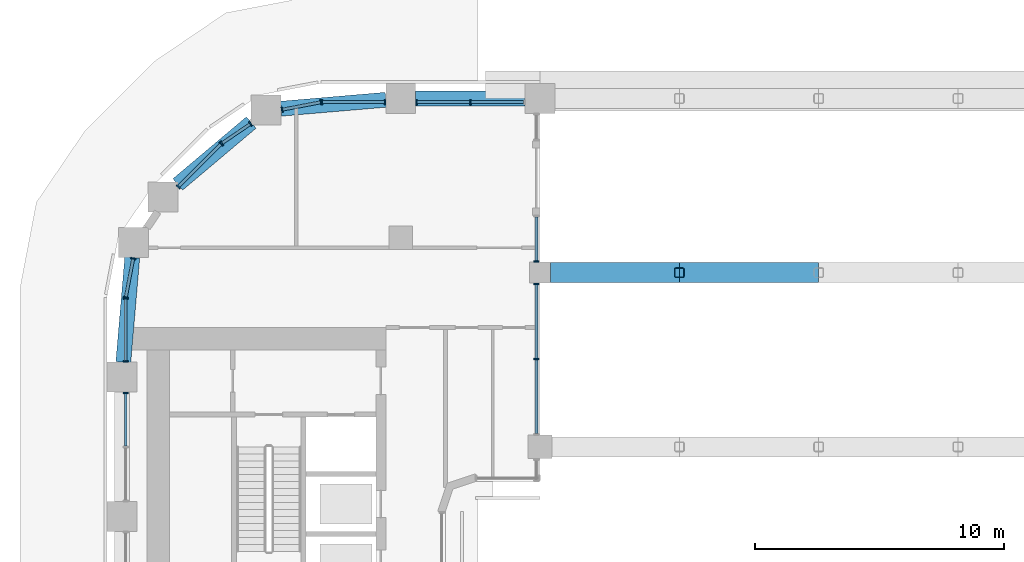
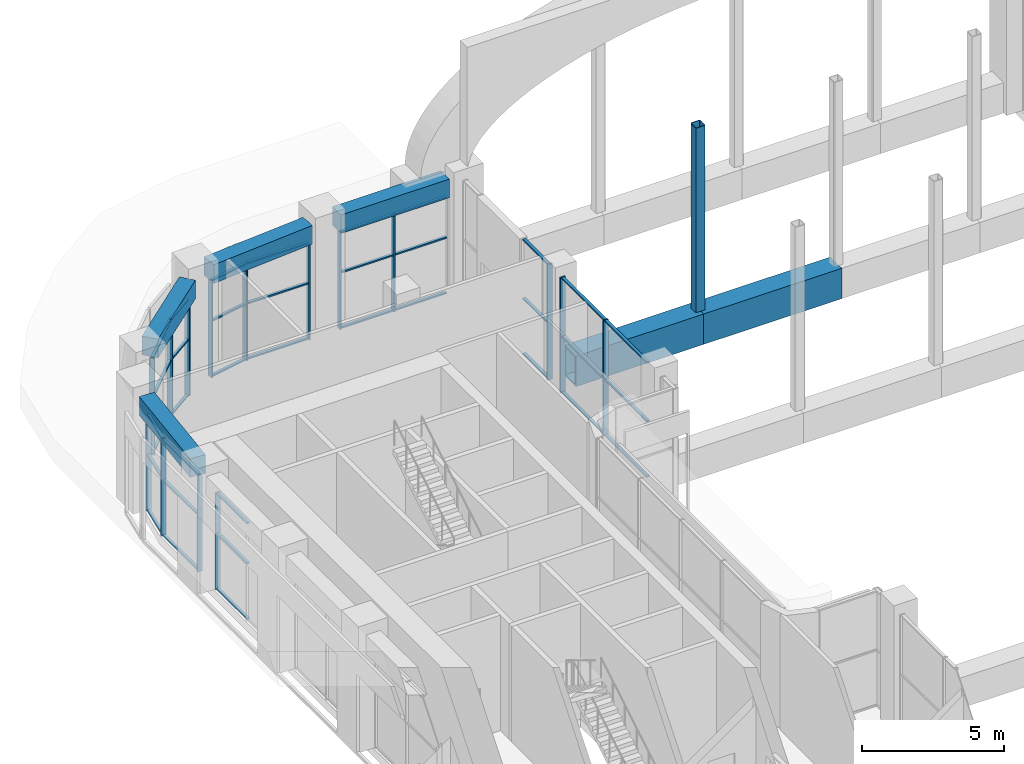
# One storey, part 8 of 28: 57 members, 4 beams, 10 elements without a shape of their own.
"""IFC4 building model written with IfcOpenShell, lengths in metres."""

import ifcopenshell
import ifcopenshell.guid

model = None  # the IFC model being written
_history = None  # IfcOwnerHistory: only IFC2X3 demands one
_inside = {}  # id of a spatial element -> (the spatial element, [elements in it])
_under = {}  # id of a project, library or spatial element -> (it, [spatial elements below it])
_declared = {}  # id of a project -> (the project, [libraries it declares])
_typed = {}  # id of a type object -> (the type object, [elements of that type])
_made_of = {}  # id of a material, layer set ... -> (it, [elements and type objects made of it])


def new_model(schema):
    """Start an empty IFC model of exactly this schema.

    Asked for "IFC4X3", IfcOpenShell would pick the latest addendum, in which some entities
    have other attributes; the version numbers below select the first issue.
    IFC2X3 requires an IfcOwnerHistory on every rooted entity: one is made here for all.
    """
    global model, _history
    if schema == "IFC4X3":
        model = ifcopenshell.file(schema_version=(4, 3, 0, 0))
    else:
        model = ifcopenshell.file(schema=schema)
    _inside.clear()
    _under.clear()
    _declared.clear()
    _typed.clear()
    _made_of.clear()
    _history = None
    if model.schema == "IFC2X3":
        org = make("IfcOrganization", Name="unknown")
        user = make(
            "IfcPersonAndOrganization",
            ThePerson=make("IfcPerson", FamilyName="unknown"),
            TheOrganization=org,
        )
        app = make(
            "IfcApplication",
            ApplicationDeveloper=org,
            Version="unknown",
            ApplicationFullName="unknown",
            ApplicationIdentifier="unknown",
        )
        _history = make(
            "IfcOwnerHistory",
            OwningUser=user,
            OwningApplication=app,
            ChangeAction="ADDED",
            CreationDate=0,
        )
    return model


def make(cls, **values):
    """One entity of the class cls with the attributes given. An attribute that is None is left unset."""
    return model.create_entity(
        cls, **{name: value for name, value in values.items() if value is not None}
    )


def rooted(cls, **values):
    """An entity with a GlobalId (a new one), such as an element, a storey or a relation."""
    return make(cls, GlobalId=ifcopenshell.guid.new(), OwnerHistory=_history, **values)


def si_unit(unit_type, name, prefix=None):
    """IfcSIUnit, for example si_unit("LENGTHUNIT", "METRE", prefix="MILLI")."""
    return make("IfcSIUnit", UnitType=unit_type, Prefix=prefix, Name=name)


def assignment(units):
    """IfcUnitAssignment: the units of a project."""
    return None if units is None else make("IfcUnitAssignment", Units=units)


def point(xyz):
    """IfcCartesianPoint."""
    return None if xyz is None else make("IfcCartesianPoint", Coordinates=xyz)


def direction(xyz):
    """IfcDirection."""
    return None if xyz is None else make("IfcDirection", DirectionRatios=xyz)


def frame(location, z_axis=None, x_axis=None):
    """IfcAxis2Placement3D, a coordinate frame: its origin and axes. An axis left out is left unset."""
    return make(
        "IfcAxis2Placement3D",
        Location=point(location),
        Axis=direction(z_axis),
        RefDirection=direction(x_axis),
    )


def frame_2d(location, x_axis=None):
    """IfcAxis2Placement2D, a coordinate frame in the plane: its origin and x axis."""
    return make(
        "IfcAxis2Placement2D", Location=point(location), RefDirection=direction(x_axis)
    )


def origin():
    """The frame at (0, 0, 0) with its axes left unset."""
    return frame((0.0, 0.0, 0.0))


def origin_2d():
    """The frame at (0, 0) in the plane with its x axis left unset."""
    return frame_2d((0.0, 0.0))


def place(relative_to, where):
    """IfcLocalPlacement: puts the frame where relative to a parent placement (None: the world)."""
    return make(
        "IfcLocalPlacement", PlacementRelTo=relative_to, RelativePlacement=where
    )


def context(
    kind, dimensions, precision=None, world=None, true_north=None, identifier=None
):
    """IfcGeometricRepresentationContext, for example the 3D "Model" context."""
    return make(
        "IfcGeometricRepresentationContext",
        ContextIdentifier=identifier,
        ContextType=kind,
        CoordinateSpaceDimension=dimensions,
        Precision=precision,
        WorldCoordinateSystem=world,
        TrueNorth=true_north,
    )


def subcontext(parent, identifier, kind, view, scale=None):
    """IfcGeometricRepresentationSubContext, for example "Body" below "Model"."""
    return make(
        "IfcGeometricRepresentationSubContext",
        ContextIdentifier=identifier,
        ContextType=kind,
        ParentContext=parent,
        TargetScale=scale,
        TargetView=view,
    )


def project(units=None, contexts=None):
    """IfcProject with its units and contexts."""
    return rooted(
        "IfcProject",
        Name="project",
        RepresentationContexts=contexts,
        UnitsInContext=assignment(units),
    )


def spatial(cls, under=None, at=None, **own):
    """A site, building, storey or space (cls), placed at a placement, below another one or the project."""
    s = rooted(cls, ObjectPlacement=at, **own)
    if under is not None:
        _under.setdefault(under.id(), (under, []))[1].append(s)
    return s


def profile(cls, at=None, kind="AREA", **sizes):
    """A parametric profile (cls). Its sizes go by their IFC names, for example OverallWidth=200.0."""
    return make(cls, ProfileType=kind, Position=at, **sizes)


def rectangle(**sizes):
    """IfcRectangleProfileDef."""
    return profile("IfcRectangleProfileDef", **sizes)


def hollow_rectangle(**sizes):
    """IfcRectangleHollowProfileDef."""
    return profile("IfcRectangleHollowProfileDef", **sizes)


def extrude(swept, where, along, depth):
    """IfcExtrudedAreaSolid: the profile swept, set in the frame where, extruded along a direction by depth."""
    return make(
        "IfcExtrudedAreaSolid",
        SweptArea=swept,
        Position=where,
        ExtrudedDirection=direction(along),
        Depth=depth,
    )


def shape(context_of_items, identifier, shape_type, items):
    """IfcShapeRepresentation: the items that make up one representation, for example the "Body"."""
    return make(
        "IfcShapeRepresentation",
        ContextOfItems=context_of_items,
        RepresentationIdentifier=identifier,
        RepresentationType=shape_type,
        Items=items,
    )


def material(Name=None, Category=None):
    """IfcMaterial."""
    return make("IfcMaterial", Name=Name, Category=Category)


def layer(
    of_material, thickness, ventilated=None, Name=None, Category=None, Priority=None
):
    """IfcMaterialLayer: one layer of a wall or slab, of a material (None: an air gap)."""
    return make(
        "IfcMaterialLayer",
        Material=of_material,
        LayerThickness=thickness,
        IsVentilated=ventilated,
        Name=Name,
        Category=Category,
        Priority=Priority,
    )


def layer_set(layers, Name=None):
    """IfcMaterialLayerSet."""
    return make("IfcMaterialLayerSet", MaterialLayers=layers, LayerSetName=Name)


def material_profile(
    of_material, cross_section, Name=None, Category=None, Priority=None
):
    """IfcMaterialProfile: a cross section and its material."""
    return make(
        "IfcMaterialProfile",
        Name=Name,
        Material=of_material,
        Profile=cross_section,
        Priority=Priority,
        Category=Category,
    )


def profile_set(profiles, Name=None, composite=None):
    """IfcMaterialProfileSet."""
    return make(
        "IfcMaterialProfileSet",
        Name=Name,
        MaterialProfiles=profiles,
        CompositeProfile=composite,
    )


def made_of(thing, what):
    """Note that an element or type object is made of a material, layer set ...; save() writes the relation."""
    if what is not None:
        _made_of.setdefault(what.id(), (what, []))[1].append(thing)
    return thing


def type_object(cls, material=None, **own):
    """A type object (cls), such as IfcWallType, which elements share."""
    return made_of(rooted(cls, **own), material)


def element(
    cls,
    number,
    at=None,
    inside=None,
    cuts=None,
    type_object=None,
    material=None,
    context=None,
    identifier="Body",
    shape_type=None,
    held_by="IfcProductDefinitionShape",
    body=None,
    shapes=None,
    **own,
):
    """One element of the class cls, such as IfcWall. Its Tag is "e" and its number.

    at: its placement. inside: the storey or other place that contains it. cuts: it is an
    opening in that element (IfcRelVoidsElement). A single representation is given by context,
    identifier, shape_type and body (its items); several are given by shapes. held_by: the class
    of the entity that holds the representations. save() writes the other relations.
    """
    e = rooted(cls, Tag="e%d" % number, ObjectPlacement=at, **own)
    if body is not None:
        shapes = [shape(context, identifier, shape_type, body)]
    if shapes is not None:
        e.Representation = make(held_by, Representations=shapes)
    if inside is not None:
        _inside.setdefault(inside.id(), (inside, []))[1].append(e)
    if cuts is not None:
        rooted(
            "IfcRelVoidsElement", RelatingBuildingElement=cuts, RelatedOpeningElement=e
        )
    if type_object is not None:
        _typed.setdefault(type_object.id(), (type_object, []))[1].append(e)
    return made_of(e, material)


def aggregate(whole, parts):
    """IfcRelAggregates: a whole, such as a stair, and the parts it consists of."""
    return rooted("IfcRelAggregates", RelatingObject=whole, RelatedObjects=parts)


def save(model, path):
    """Write the relations noted so far, then the file.

    IfcRelAggregates (storeys below a building ...), IfcRelContainedInSpatialStructure (elements
    in a storey), IfcRelDefinesByType, IfcRelAssociatesMaterial and IfcRelDeclares: one each for
    every whole, place, type object, material and project.
    """
    for whole, parts in _under.values():
        aggregate(whole, parts)
    for where, things in _inside.values():
        rooted(
            "IfcRelContainedInSpatialStructure",
            RelatedElements=things,
            RelatingStructure=where,
        )
    for kind, things in _typed.values():
        rooted("IfcRelDefinesByType", RelatedObjects=things, RelatingType=kind)
    for what, things in _made_of.values():
        rooted("IfcRelAssociatesMaterial", RelatedObjects=things, RelatingMaterial=what)
    for by, libraries in _declared.values():
        rooted("IfcRelDeclares", RelatingContext=by, RelatedDefinitions=libraries)
    model.write(path)


model = new_model("IFC4")

# Units and contexts
model_context = context("Model", 3, precision=1e-05, world=origin(), true_north=direction((0.0, 1.0)))
body_context = subcontext(model_context, "Body", "Model", "MODEL_VIEW")
ifc_project = project(units=[si_unit("LENGTHUNIT", "METRE"), si_unit("AREAUNIT", "SQUARE_METRE"), si_unit("VOLUMEUNIT", "CUBIC_METRE"), si_unit("PLANEANGLEUNIT", "RADIAN"), si_unit("MASSUNIT", "GRAM", prefix="KILO")], contexts=[model_context])

# Site, building, storey
site_placement = place(None, origin())
site = spatial("IfcSite", under=ifc_project, at=site_placement, CompositionType="ELEMENT")
building_placement = place(site_placement, origin())
building = spatial("IfcBuilding", under=site, at=building_placement, Name="Kiln Ring Residences", CompositionType="ELEMENT")
storey_placement = place(building_placement, frame((0.0, 0.0, 125.300048828125)))
storey = spatial("IfcBuildingStorey", under=building, at=storey_placement, Name="L32", CompositionType="ELEMENT", Elevation=125.300048828125)

# Members
ifc_material_1 = material(Name="Steel S460", Category="steel")
ifc_material_profile_1 = material_profile(ifc_material_1, hollow_rectangle(XDim=0.800048828125, YDim=1.300048828125, WallThickness=0.070068359375, at=origin_2d()), Name="BOX1300x800x70")
ifc_profile_set_1 = profile_set([ifc_material_profile_1], Name="Steel S460")
member_type_1 = type_object("IfcMemberType", Name="Bridge truss chord BOX1300x800x70 S460", PredefinedType="CHORD", material=ifc_profile_set_1)
member_1_placement = place(storey_placement, frame((-10.77490234375, 15.39990234375, 0.64990234375), z_axis=(1.0, 0.0, 0.0), x_axis=(0.0, 1.0, 0.0)))
element("IfcMember", 1, at=member_1_placement, inside=storey, type_object=member_type_1, Name="Bridge truss chord L32 17", PredefinedType="CHORD", context=body_context, shape_type="SweptSolid", body=[
    extrude(hollow_rectangle(XDim=0.800048828125, YDim=1.300048828125, WallThickness=0.070068359375, at=origin_2d()), origin(), (0.0, 0.0, 1.0), 5.1748046875),
])
member_2_placement = place(storey_placement, frame((-5.60009765625, 15.39990234375, 0.64990234375), z_axis=(1.0, 0.0, 0.0), x_axis=(0.0, 1.0, 0.0)))
element("IfcMember", 2, at=member_2_placement, inside=storey, type_object=member_type_1, Name="Bridge truss chord L32 18", PredefinedType="CHORD", context=body_context, shape_type="SweptSolid", body=[
    extrude(hollow_rectangle(XDim=0.800048828125, YDim=1.300048828125, WallThickness=0.070068359375, at=origin_2d()), origin(), (0.0, 0.0, 1.0), 5.60009765625),
])
ifc_material_2 = material(Name="Steel S355", Category="steel")
ifc_material_profile_2 = material_profile(ifc_material_2, hollow_rectangle(XDim=0.39990234375, YDim=0.39990234375, WallThickness=0.02490234375, InnerFilletRadius=0.02490234375, OuterFilletRadius=0.0625, at=origin_2d()), Name="SHS400x400x25")
ifc_profile_set_2 = profile_set([ifc_material_profile_2], Name="Steel S355")
member_type_2 = type_object("IfcMemberType", Name="Bridge truss post SHS400x400x25 S355", PredefinedType="POST", material=ifc_profile_set_2)
member_3_placement = place(storey_placement, frame((-5.60009765625, 15.39990234375, 1.300048828125), z_axis=(0.0, 0.0, 1.0), x_axis=(1.0, 0.0, 0.0)))
element("IfcMember", 3, at=member_3_placement, inside=storey, type_object=member_type_2, Name="Bridge truss post L32 13", PredefinedType="POST", context=body_context, shape_type="SweptSolid", body=[
    extrude(hollow_rectangle(XDim=0.39990234375, YDim=0.39990234375, WallThickness=0.02490234375, InnerFilletRadius=0.02490234375, OuterFilletRadius=0.0625, at=origin_2d()), origin(), (0.0, 0.0, 1.0), 7.89990234375),
])

# Curtain wall, members
ifc_material_3 = material(Name="Aluminium and glass", Category="aluminium")
ifc_layer = layer(ifc_material_3, 0.199951171875)
ifc_layer_set = layer_set([ifc_layer], Name="CW1 CURTAIN WALL")
curtain_wall_type = type_object("IfcCurtainWallType", Name="CW1 CURTAIN WALL", PredefinedType="NOTDEFINED", material=ifc_layer_set)
placement = place(storey_placement, origin())
curtain_wall_1 = element("IfcCurtainWall", 4, at=placement, inside=storey, type_object=curtain_wall_type, Name="Curtain wall CW1 L32", PredefinedType="NOTDEFINED")
ifc_material_4 = material(Name="Aluminium 6063-T6", Category="aluminium")
ifc_material_profile_3 = material_profile(ifc_material_4, rectangle(XDim=0.199951171875, YDim=0.06005859375, at=origin_2d()), Name="AL 200x60")
ifc_profile_set_3 = profile_set([ifc_material_profile_3], Name="Aluminium 6063-T6")
member_type_3 = type_object("IfcMemberType", Name="CW1 MULLION 200 x 60", PredefinedType="MULLION", material=ifc_profile_set_3)
member_4_placement = place(storey_placement, frame((-11.35009765625, 11.925048828125, 0.0), z_axis=(0.0, 0.0, 1.0), x_axis=(-1.0, 0.0, 0.0)))
member_4 = element("IfcMember", 5, at=member_4_placement, type_object=member_type_3, Name="CW1 mullion 2", PredefinedType="MULLION", context=body_context, shape_type="SweptSolid", body=[
    extrude(rectangle(XDim=0.199951171875, YDim=0.06005859375, at=origin_2d()), origin(), (0.0, 0.0, 1.0), 4.949951171875),
])
member_5_placement = place(storey_placement, frame((-11.35009765625, 14.945068359375, 0.0), z_axis=(0.0, 0.0, 1.0), x_axis=(-1.0, 0.0, 0.0)))
member_5 = element("IfcMember", 6, at=member_5_placement, type_object=member_type_3, Name="CW1 mullion 3", PredefinedType="MULLION", context=body_context, shape_type="SweptSolid", body=[
    extrude(rectangle(XDim=0.199951171875, YDim=0.06005859375, at=origin_2d()), origin(), (0.0, 0.0, 1.0), 4.949951171875),
])

# Curtain wall, member
curtain_wall_2 = element("IfcCurtainWall", 7, at=placement, inside=storey, type_object=curtain_wall_type, Name="Curtain wall CW1 L32", PredefinedType="NOTDEFINED")
member_6_placement = place(storey_placement, frame((-11.35009765625, 15.85498046875, 0.0), z_axis=(0.0, 0.0, 1.0), x_axis=(-1.0, 0.0, 0.0)))
member_6 = element("IfcMember", 8, at=member_6_placement, type_object=member_type_3, Name="CW1 mullion 1", PredefinedType="MULLION", context=body_context, shape_type="SweptSolid", body=[
    extrude(rectangle(XDim=0.199951171875, YDim=0.06005859375, at=origin_2d()), origin(), (0.0, 0.0, 1.0), 4.949951171875),
])

# Curtain wall, members
curtain_wall_3 = element("IfcCurtainWall", 9, at=placement, inside=storey, type_object=curtain_wall_type, Name="Curtain wall CW1 L32", PredefinedType="NOTDEFINED")
member_7_placement = place(storey_placement, frame((-14.0, 22.25, 0.0), z_axis=(0.0, 0.0, 1.0), x_axis=(0.0, -1.0, 0.0)))
member_7 = element("IfcMember", 10, at=member_7_placement, type_object=member_type_3, Name="CW1 mullion 2", PredefinedType="MULLION", context=body_context, shape_type="SweptSolid", body=[
    extrude(rectangle(XDim=0.199951171875, YDim=0.06005859375, at=origin_2d()), origin(), (0.0, 0.0, 1.0), 4.14990234375),
])
member_8_placement = place(storey_placement, frame((-16.169921875, 22.25, 0.0), z_axis=(0.0, 0.0, 1.0), x_axis=(0.0, -1.0, 0.0)))
member_8 = element("IfcMember", 11, at=member_8_placement, type_object=member_type_3, Name="CW1 mullion 3", PredefinedType="MULLION", context=body_context, shape_type="SweptSolid", body=[
    extrude(rectangle(XDim=0.199951171875, YDim=0.06005859375, at=origin_2d()), origin(), (0.0, 0.0, 1.0), 4.14990234375),
])

curtain_wall_4 = element("IfcCurtainWall", 12, at=placement, inside=storey, type_object=curtain_wall_type, Name="Curtain wall CW1 L32", PredefinedType="NOTDEFINED")
member_9_placement = place(storey_placement, frame((-17.429931640625, 22.25, 0.0), z_axis=(0.0, 0.0, 1.0), x_axis=(0.0, -1.0, 0.0)))
member_9 = element("IfcMember", 13, at=member_9_placement, type_object=member_type_3, Name="CW1 mullion 1", PredefinedType="MULLION", context=body_context, shape_type="SweptSolid", body=[
    extrude(rectangle(XDim=0.199951171875, YDim=0.06005859375, at=origin_2d()), origin(), (0.0, 0.0, 1.0), 4.14990234375),
])
member_10_placement = place(storey_placement, frame((-19.969970703125, 22.25, 0.0), z_axis=(0.0, 0.0, 1.0), x_axis=(0.0, -1.0, 0.0)))
member_10 = element("IfcMember", 14, at=member_10_placement, type_object=member_type_3, Name="CW1 mullion 2", PredefinedType="MULLION", context=body_context, shape_type="SweptSolid", body=[
    extrude(rectangle(XDim=0.199951171875, YDim=0.06005859375, at=origin_2d()), origin(), (0.0, 0.0, 1.0), 4.14990234375),
])

curtain_wall_5 = element("IfcCurtainWall", 15, at=placement, inside=storey, type_object=curtain_wall_type, Name="Curtain wall CW1 L32", PredefinedType="NOTDEFINED")
member_11_placement = place(storey_placement, frame((-20.00146484375, 22.2470703125, 0.0), z_axis=(0.0, 0.0, 1.0), x_axis=(0.187365550262, -0.982290257803, 0.0)))
member_11 = element("IfcMember", 16, at=member_11_placement, type_object=member_type_3, Name="CW1 mullion 1", PredefinedType="MULLION", context=body_context, shape_type="SweptSolid", body=[
    extrude(rectangle(XDim=0.199951171875, YDim=0.06005859375, at=origin_2d()), origin(), (0.0, 0.0, 1.0), 4.14990234375),
])
member_12_placement = place(storey_placement, frame((-21.5693359375, 21.947998046875, 0.0), z_axis=(0.0, 0.0, 1.0), x_axis=(0.187365550262, -0.982290257803, 0.0)))
member_12 = element("IfcMember", 17, at=member_12_placement, type_object=member_type_3, Name="CW1 mullion 2", PredefinedType="MULLION", context=body_context, shape_type="SweptSolid", body=[
    extrude(rectangle(XDim=0.199951171875, YDim=0.06005859375, at=origin_2d()), origin(), (0.0, 0.0, 1.0), 4.14990234375),
])

curtain_wall_6 = element("IfcCurtainWall", 18, at=placement, inside=storey, type_object=curtain_wall_type, Name="Curtain wall CW1 L32", PredefinedType="NOTDEFINED")
member_13_placement = place(storey_placement, frame((-22.83349609375, 21.38037109375, 0.0), z_axis=(0.0, 0.0, 1.0), x_axis=(0.562096651409, -0.827071553419, 0.0)))
member_13 = element("IfcMember", 19, at=member_13_placement, type_object=member_type_3, Name="CW1 mullion 1", PredefinedType="MULLION", context=body_context, shape_type="SweptSolid", body=[
    extrude(rectangle(XDim=0.199951171875, YDim=0.06005859375, at=origin_2d()), origin(), (0.0, 0.0, 1.0), 4.14990234375),
])
member_14_placement = place(storey_placement, frame((-23.988037109375, 20.595703125, 0.0), z_axis=(0.0, 0.0, 1.0), x_axis=(0.562096651409, -0.827071553419, 0.0)))
member_14 = element("IfcMember", 20, at=member_14_placement, type_object=member_type_3, Name="CW1 mullion 2", PredefinedType="MULLION", context=body_context, shape_type="SweptSolid", body=[
    extrude(rectangle(XDim=0.199951171875, YDim=0.06005859375, at=origin_2d()), origin(), (0.0, 0.0, 1.0), 4.14990234375),
])

curtain_wall_7 = element("IfcCurtainWall", 21, at=placement, inside=storey, type_object=curtain_wall_type, Name="Curtain wall CW1 L32", PredefinedType="NOTDEFINED")
member_15_placement = place(storey_placement, frame((-24.01220703125, 20.57568359375, 0.0), z_axis=(0.0, 0.0, 1.0), x_axis=(0.707106781187, -0.707106781187, 0.0)))
member_15 = element("IfcMember", 22, at=member_15_placement, type_object=member_type_3, Name="CW1 mullion 1", PredefinedType="MULLION", context=body_context, shape_type="SweptSolid", body=[
    extrude(rectangle(XDim=0.199951171875, YDim=0.06005859375, at=origin_2d()), origin(), (0.0, 0.0, 1.0), 4.14990234375),
])
member_16_placement = place(storey_placement, frame((-25.738525390625, 18.849365234375, 0.0), z_axis=(0.0, 0.0, 1.0), x_axis=(0.707106781187, -0.707106781187, 0.0)))
member_16 = element("IfcMember", 23, at=member_16_placement, type_object=member_type_3, Name="CW1 mullion 2", PredefinedType="MULLION", context=body_context, shape_type="SweptSolid", body=[
    extrude(rectangle(XDim=0.199951171875, YDim=0.06005859375, at=origin_2d()), origin(), (0.0, 0.0, 1.0), 4.14990234375),
])

curtain_wall_8 = element("IfcCurtainWall", 24, at=placement, inside=storey, type_object=curtain_wall_type, Name="Curtain wall CW1 L32", PredefinedType="NOTDEFINED")
member_17_placement = place(storey_placement, frame((-27.548095703125, 15.96923828125, 0.0), z_axis=(0.0, 0.0, 1.0), x_axis=(0.982290257803, -0.187365550262, 0.0)))
member_17 = element("IfcMember", 25, at=member_17_placement, type_object=member_type_3, Name="CW1 mullion 1", PredefinedType="MULLION", context=body_context, shape_type="SweptSolid", body=[
    extrude(rectangle(XDim=0.199951171875, YDim=0.06005859375, at=origin_2d()), origin(), (0.0, 0.0, 1.0), 4.14990234375),
])
member_18_placement = place(storey_placement, frame((-27.846923828125, 14.4013671875, 0.0), z_axis=(0.0, 0.0, 1.0), x_axis=(0.982290257803, -0.187365550262, 0.0)))
member_18 = element("IfcMember", 26, at=member_18_placement, type_object=member_type_3, Name="CW1 mullion 2", PredefinedType="MULLION", context=body_context, shape_type="SweptSolid", body=[
    extrude(rectangle(XDim=0.199951171875, YDim=0.06005859375, at=origin_2d()), origin(), (0.0, 0.0, 1.0), 4.14990234375),
])

curtain_wall_9 = element("IfcCurtainWall", 27, at=placement, inside=storey, type_object=curtain_wall_type, Name="Curtain wall CW1 L32", PredefinedType="NOTDEFINED")
member_19_placement = place(storey_placement, frame((-27.85009765625, 14.3701171875, 0.0), z_axis=(0.0, 0.0, 1.0), x_axis=(1.0, 0.0, 0.0)))
member_19 = element("IfcMember", 28, at=member_19_placement, type_object=member_type_3, Name="CW1 mullion 1", PredefinedType="MULLION", context=body_context, shape_type="SweptSolid", body=[
    extrude(rectangle(XDim=0.199951171875, YDim=0.06005859375, at=origin_2d()), origin(), (0.0, 0.0, 1.0), 4.14990234375),
])
member_20_placement = place(storey_placement, frame((-27.85009765625, 11.830078125, 0.0), z_axis=(0.0, 0.0, 1.0), x_axis=(1.0, 0.0, 0.0)))
member_20 = element("IfcMember", 29, at=member_20_placement, type_object=member_type_3, Name="CW1 mullion 2", PredefinedType="MULLION", context=body_context, shape_type="SweptSolid", body=[
    extrude(rectangle(XDim=0.199951171875, YDim=0.06005859375, at=origin_2d()), origin(), (0.0, 0.0, 1.0), 4.14990234375),
])

# Curtain wall, member
curtain_wall_10 = element("IfcCurtainWall", 30, at=placement, inside=storey, type_object=curtain_wall_type, Name="Curtain wall CW1 L32", PredefinedType="NOTDEFINED")
member_21_placement = place(storey_placement, frame((-27.85009765625, 10.570068359375, 0.0), z_axis=(0.0, 0.0, 1.0), x_axis=(1.0, 0.0, 0.0)))
member_21 = element("IfcMember", 31, at=member_21_placement, type_object=member_type_3, Name="CW1 mullion 1", PredefinedType="MULLION", context=body_context, shape_type="SweptSolid", body=[
    extrude(rectangle(XDim=0.199951171875, YDim=0.06005859375, at=origin_2d()), origin(), (0.0, 0.0, 1.0), 4.14990234375),
])

# Member
ifc_material_5 = material(Name="Aluminium 6063-T6", Category="aluminium")
ifc_material_profile_4 = material_profile(ifc_material_5, rectangle(XDim=0.1201171875, YDim=0.06005859375, at=origin_2d()), Name="AL 120x60")
ifc_profile_set_4 = profile_set([ifc_material_profile_4], Name="Aluminium 6063-T6")
member_type_4 = type_object("IfcMemberType", Name="CW1 TRANSOM 120 x 60", PredefinedType="USERDEFINED", material=ifc_profile_set_4)
member_22_placement = place(storey_placement, frame((-11.35009765625, 8.93505859375, 0.030029296875), z_axis=(0.0, 1.0, 0.0), x_axis=(-1.0, 0.0, 0.0)))
member_22 = element("IfcMember", 32, at=member_22_placement, type_object=member_type_4, Name="CW1 transom 1.1", ObjectType="TRANSOM", PredefinedType="USERDEFINED", context=body_context, shape_type="SweptSolid", body=[
    extrude(rectangle(XDim=0.1201171875, YDim=0.06005859375, at=origin_2d()), origin(), (0.0, 0.0, 1.0), 2.9599609375),
])

member_23_placement = place(storey_placement, frame((-11.35009765625, 8.93505859375, 2.39990234375), z_axis=(0.0, 1.0, 0.0), x_axis=(-1.0, 0.0, 0.0)))
member_23 = element("IfcMember", 33, at=member_23_placement, type_object=member_type_4, Name="CW1 transom 1.2", ObjectType="TRANSOM", PredefinedType="USERDEFINED", context=body_context, shape_type="SweptSolid", body=[
    extrude(rectangle(XDim=0.1201171875, YDim=0.06005859375, at=origin_2d()), origin(), (0.0, 0.0, 1.0), 2.9599609375),
])

member_24_placement = place(storey_placement, frame((-11.35009765625, 8.93505859375, 4.919921875), z_axis=(0.0, 1.0, 0.0), x_axis=(-1.0, 0.0, 0.0)))
member_24 = element("IfcMember", 34, at=member_24_placement, type_object=member_type_4, Name="CW1 transom 1.3", ObjectType="TRANSOM", PredefinedType="USERDEFINED", context=body_context, shape_type="SweptSolid", body=[
    extrude(rectangle(XDim=0.1201171875, YDim=0.06005859375, at=origin_2d()), origin(), (0.0, 0.0, 1.0), 2.9599609375),
])

member_25_placement = place(storey_placement, frame((-11.35009765625, 11.955078125, 0.030029296875), z_axis=(0.0, 1.0, 0.0), x_axis=(-1.0, 0.0, 0.0)))
member_25 = element("IfcMember", 35, at=member_25_placement, type_object=member_type_4, Name="CW1 transom 2.1", ObjectType="TRANSOM", PredefinedType="USERDEFINED", context=body_context, shape_type="SweptSolid", body=[
    extrude(rectangle(XDim=0.1201171875, YDim=0.06005859375, at=origin_2d()), origin(), (0.0, 0.0, 1.0), 2.9599609375),
])

member_26_placement = place(storey_placement, frame((-11.35009765625, 11.955078125, 2.39990234375), z_axis=(0.0, 1.0, 0.0), x_axis=(-1.0, 0.0, 0.0)))
member_26 = element("IfcMember", 36, at=member_26_placement, type_object=member_type_4, Name="CW1 transom 2.2", ObjectType="TRANSOM", PredefinedType="USERDEFINED", context=body_context, shape_type="SweptSolid", body=[
    extrude(rectangle(XDim=0.1201171875, YDim=0.06005859375, at=origin_2d()), origin(), (0.0, 0.0, 1.0), 2.9599609375),
])

member_27_placement = place(storey_placement, frame((-11.35009765625, 11.955078125, 4.919921875), z_axis=(0.0, 1.0, 0.0), x_axis=(-1.0, 0.0, 0.0)))
member_27 = element("IfcMember", 37, at=member_27_placement, type_object=member_type_4, Name="CW1 transom 2.3", ObjectType="TRANSOM", PredefinedType="USERDEFINED", context=body_context, shape_type="SweptSolid", body=[
    extrude(rectangle(XDim=0.1201171875, YDim=0.06005859375, at=origin_2d()), origin(), (0.0, 0.0, 1.0), 2.9599609375),
])

aggregate(curtain_wall_1, [member_4, member_5, member_22, member_23, member_24, member_25, member_26, member_27])

member_28_placement = place(storey_placement, frame((-11.35009765625, 15.885009765625, 0.030029296875), z_axis=(0.0, 1.0, 0.0), x_axis=(-1.0, 0.0, 0.0)))
member_28 = element("IfcMember", 38, at=member_28_placement, type_object=member_type_4, Name="CW1 transom 1.1", ObjectType="TRANSOM", PredefinedType="USERDEFINED", context=body_context, shape_type="SweptSolid", body=[
    extrude(rectangle(XDim=0.1201171875, YDim=0.06005859375, at=origin_2d()), origin(), (0.0, 0.0, 1.0), 1.7548828125),
])

member_29_placement = place(storey_placement, frame((-11.35009765625, 15.885009765625, 2.39990234375), z_axis=(0.0, 1.0, 0.0), x_axis=(-1.0, 0.0, 0.0)))
member_29 = element("IfcMember", 39, at=member_29_placement, type_object=member_type_4, Name="CW1 transom 1.2", ObjectType="TRANSOM", PredefinedType="USERDEFINED", context=body_context, shape_type="SweptSolid", body=[
    extrude(rectangle(XDim=0.1201171875, YDim=0.06005859375, at=origin_2d()), origin(), (0.0, 0.0, 1.0), 1.7548828125),
])

member_30_placement = place(storey_placement, frame((-11.35009765625, 15.885009765625, 4.919921875), z_axis=(0.0, 1.0, 0.0), x_axis=(-1.0, 0.0, 0.0)))
member_30 = element("IfcMember", 40, at=member_30_placement, type_object=member_type_4, Name="CW1 transom 1.3", ObjectType="TRANSOM", PredefinedType="USERDEFINED", context=body_context, shape_type="SweptSolid", body=[
    extrude(rectangle(XDim=0.1201171875, YDim=0.06005859375, at=origin_2d()), origin(), (0.0, 0.0, 1.0), 1.7548828125),
])

aggregate(curtain_wall_2, [member_6, member_28, member_29, member_30])

member_31_placement = place(storey_placement, frame((-11.860107421875, 22.25, 0.030029296875), z_axis=(-1.0, 0.0, 0.0), x_axis=(0.0, -1.0, 0.0)))
member_31 = element("IfcMember", 41, at=member_31_placement, type_object=member_type_4, Name="CW1 transom 1.1", ObjectType="TRANSOM", PredefinedType="USERDEFINED", context=body_context, shape_type="SweptSolid", body=[
    extrude(rectangle(XDim=0.1201171875, YDim=0.06005859375, at=origin_2d()), origin(), (0.0, 0.0, 1.0), 2.10986328125),
])

member_32_placement = place(storey_placement, frame((-11.860107421875, 22.25, 2.39990234375), z_axis=(-1.0, 0.0, 0.0), x_axis=(0.0, -1.0, 0.0)))
member_32 = element("IfcMember", 42, at=member_32_placement, type_object=member_type_4, Name="CW1 transom 1.2", ObjectType="TRANSOM", PredefinedType="USERDEFINED", context=body_context, shape_type="SweptSolid", body=[
    extrude(rectangle(XDim=0.1201171875, YDim=0.06005859375, at=origin_2d()), origin(), (0.0, 0.0, 1.0), 2.10986328125),
])

member_33_placement = place(storey_placement, frame((-11.860107421875, 22.25, 4.119873046875), z_axis=(-1.0, 0.0, 0.0), x_axis=(0.0, -1.0, 0.0)))
member_33 = element("IfcMember", 43, at=member_33_placement, type_object=member_type_4, Name="CW1 transom 1.3", ObjectType="TRANSOM", PredefinedType="USERDEFINED", context=body_context, shape_type="SweptSolid", body=[
    extrude(rectangle(XDim=0.1201171875, YDim=0.06005859375, at=origin_2d()), origin(), (0.0, 0.0, 1.0), 2.10986328125),
])

member_34_placement = place(storey_placement, frame((-14.030029296875, 22.25, 0.030029296875), z_axis=(-1.0, 0.0, 0.0), x_axis=(0.0, -1.0, 0.0)))
member_34 = element("IfcMember", 44, at=member_34_placement, type_object=member_type_4, Name="CW1 transom 2.1", ObjectType="TRANSOM", PredefinedType="USERDEFINED", context=body_context, shape_type="SweptSolid", body=[
    extrude(rectangle(XDim=0.1201171875, YDim=0.06005859375, at=origin_2d()), origin(), (0.0, 0.0, 1.0), 2.10986328125),
])

member_35_placement = place(storey_placement, frame((-14.030029296875, 22.25, 2.39990234375), z_axis=(-1.0, 0.0, 0.0), x_axis=(0.0, -1.0, 0.0)))
member_35 = element("IfcMember", 45, at=member_35_placement, type_object=member_type_4, Name="CW1 transom 2.2", ObjectType="TRANSOM", PredefinedType="USERDEFINED", context=body_context, shape_type="SweptSolid", body=[
    extrude(rectangle(XDim=0.1201171875, YDim=0.06005859375, at=origin_2d()), origin(), (0.0, 0.0, 1.0), 2.10986328125),
])

member_36_placement = place(storey_placement, frame((-14.030029296875, 22.25, 4.119873046875), z_axis=(-1.0, 0.0, 0.0), x_axis=(0.0, -1.0, 0.0)))
member_36 = element("IfcMember", 46, at=member_36_placement, type_object=member_type_4, Name="CW1 transom 2.3", ObjectType="TRANSOM", PredefinedType="USERDEFINED", context=body_context, shape_type="SweptSolid", body=[
    extrude(rectangle(XDim=0.1201171875, YDim=0.06005859375, at=origin_2d()), origin(), (0.0, 0.0, 1.0), 2.10986328125),
])

aggregate(curtain_wall_3, [member_7, member_8, member_31, member_32, member_33, member_34, member_35, member_36])

member_37_placement = place(storey_placement, frame((-17.4599609375, 22.25, 0.030029296875), z_axis=(-1.0, 0.0, 0.0), x_axis=(0.0, -1.0, 0.0)))
member_37 = element("IfcMember", 47, at=member_37_placement, type_object=member_type_4, Name="CW1 transom 1.1", ObjectType="TRANSOM", PredefinedType="USERDEFINED", context=body_context, shape_type="SweptSolid", body=[
    extrude(rectangle(XDim=0.1201171875, YDim=0.06005859375, at=origin_2d()), origin(), (0.0, 0.0, 1.0), 2.47998046875),
])

member_38_placement = place(storey_placement, frame((-17.4599609375, 22.25, 2.39990234375), z_axis=(-1.0, 0.0, 0.0), x_axis=(0.0, -1.0, 0.0)))
member_38 = element("IfcMember", 48, at=member_38_placement, type_object=member_type_4, Name="CW1 transom 1.2", ObjectType="TRANSOM", PredefinedType="USERDEFINED", context=body_context, shape_type="SweptSolid", body=[
    extrude(rectangle(XDim=0.1201171875, YDim=0.06005859375, at=origin_2d()), origin(), (0.0, 0.0, 1.0), 2.47998046875),
])

member_39_placement = place(storey_placement, frame((-17.4599609375, 22.25, 4.119873046875), z_axis=(-1.0, 0.0, 0.0), x_axis=(0.0, -1.0, 0.0)))
member_39 = element("IfcMember", 49, at=member_39_placement, type_object=member_type_4, Name="CW1 transom 1.3", ObjectType="TRANSOM", PredefinedType="USERDEFINED", context=body_context, shape_type="SweptSolid", body=[
    extrude(rectangle(XDim=0.1201171875, YDim=0.06005859375, at=origin_2d()), origin(), (0.0, 0.0, 1.0), 2.47998046875),
])

aggregate(curtain_wall_4, [member_9, member_10, member_37, member_38, member_39])

member_40_placement = place(storey_placement, frame((-20.03076171875, 22.241455078125, 0.030029296875), z_axis=(-0.982289848443, -0.187367696378, 0.0), x_axis=(0.187367696378, -0.982289848443, 0.0)))
member_40 = element("IfcMember", 50, at=member_40_placement, type_object=member_type_4, Name="CW1 transom 1.1", ObjectType="TRANSOM", PredefinedType="USERDEFINED", context=body_context, shape_type="SweptSolid", body=[
    extrude(rectangle(XDim=0.1201171875, YDim=0.06005859375, at=origin_2d()), origin(), (0.0, 0.0, 1.0), 1.5361328125),
])

member_41_placement = place(storey_placement, frame((-20.03076171875, 22.241455078125, 2.39990234375), z_axis=(-0.982289848443, -0.187367696378, 0.0), x_axis=(0.187367696378, -0.982289848443, 0.0)))
member_41 = element("IfcMember", 51, at=member_41_placement, type_object=member_type_4, Name="CW1 transom 1.2", ObjectType="TRANSOM", PredefinedType="USERDEFINED", context=body_context, shape_type="SweptSolid", body=[
    extrude(rectangle(XDim=0.1201171875, YDim=0.06005859375, at=origin_2d()), origin(), (0.0, 0.0, 1.0), 1.5361328125),
])

member_42_placement = place(storey_placement, frame((-20.03076171875, 22.241455078125, 4.119873046875), z_axis=(-0.982289848443, -0.187367696378, 0.0), x_axis=(0.187367696378, -0.982289848443, 0.0)))
member_42 = element("IfcMember", 52, at=member_42_placement, type_object=member_type_4, Name="CW1 transom 1.3", ObjectType="TRANSOM", PredefinedType="USERDEFINED", context=body_context, shape_type="SweptSolid", body=[
    extrude(rectangle(XDim=0.1201171875, YDim=0.06005859375, at=origin_2d()), origin(), (0.0, 0.0, 1.0), 1.5361328125),
])

aggregate(curtain_wall_5, [member_11, member_12, member_40, member_41, member_42])

member_43_placement = place(storey_placement, frame((-22.8583984375, 21.363525390625, 0.030029296875), z_axis=(-0.827011476336, -0.562185038941, 0.0), x_axis=(0.562185038941, -0.827011476336, 0.0)))
member_43 = element("IfcMember", 53, at=member_43_placement, type_object=member_type_4, Name="CW1 transom 1.1", ObjectType="TRANSOM", PredefinedType="USERDEFINED", context=body_context, shape_type="SweptSolid", body=[
    extrude(rectangle(XDim=0.1201171875, YDim=0.06005859375, at=origin_2d()), origin(), (0.0, 0.0, 1.0), 1.3359375),
])

member_44_placement = place(storey_placement, frame((-22.8583984375, 21.363525390625, 2.39990234375), z_axis=(-0.827011476336, -0.562185038941, 0.0), x_axis=(0.562185038941, -0.827011476336, 0.0)))
member_44 = element("IfcMember", 54, at=member_44_placement, type_object=member_type_4, Name="CW1 transom 1.2", ObjectType="TRANSOM", PredefinedType="USERDEFINED", context=body_context, shape_type="SweptSolid", body=[
    extrude(rectangle(XDim=0.1201171875, YDim=0.06005859375, at=origin_2d()), origin(), (0.0, 0.0, 1.0), 1.3359375),
])

member_45_placement = place(storey_placement, frame((-22.8583984375, 21.363525390625, 4.119873046875), z_axis=(-0.827011476336, -0.562185038941, 0.0), x_axis=(0.562185038941, -0.827011476336, 0.0)))
member_45 = element("IfcMember", 55, at=member_45_placement, type_object=member_type_4, Name="CW1 transom 1.3", ObjectType="TRANSOM", PredefinedType="USERDEFINED", context=body_context, shape_type="SweptSolid", body=[
    extrude(rectangle(XDim=0.1201171875, YDim=0.06005859375, at=origin_2d()), origin(), (0.0, 0.0, 1.0), 1.3359375),
])

aggregate(curtain_wall_6, [member_13, member_14, member_43, member_44, member_45])

member_46_placement = place(storey_placement, frame((-24.033447265625, 20.554443359375, 0.030029296875), z_axis=(-0.707106781187, -0.707106781187, 0.0), x_axis=(0.707106781187, -0.707106781187, 0.0)))
member_46 = element("IfcMember", 56, at=member_46_placement, type_object=member_type_4, Name="CW1 transom 1.1", ObjectType="TRANSOM", PredefinedType="USERDEFINED", context=body_context, shape_type="SweptSolid", body=[
    extrude(rectangle(XDim=0.1201171875, YDim=0.06005859375, at=origin_2d()), origin(), (0.0, 0.0, 1.0), 2.38134765625),
])

member_47_placement = place(storey_placement, frame((-24.033447265625, 20.554443359375, 2.39990234375), z_axis=(-0.707106781187, -0.707106781187, 0.0), x_axis=(0.707106781187, -0.707106781187, 0.0)))
member_47 = element("IfcMember", 57, at=member_47_placement, type_object=member_type_4, Name="CW1 transom 1.2", ObjectType="TRANSOM", PredefinedType="USERDEFINED", context=body_context, shape_type="SweptSolid", body=[
    extrude(rectangle(XDim=0.1201171875, YDim=0.06005859375, at=origin_2d()), origin(), (0.0, 0.0, 1.0), 2.38134765625),
])

member_48_placement = place(storey_placement, frame((-24.033447265625, 20.554443359375, 4.119873046875), z_axis=(-0.707106781187, -0.707106781187, 0.0), x_axis=(0.707106781187, -0.707106781187, 0.0)))
member_48 = element("IfcMember", 58, at=member_48_placement, type_object=member_type_4, Name="CW1 transom 1.3", ObjectType="TRANSOM", PredefinedType="USERDEFINED", context=body_context, shape_type="SweptSolid", body=[
    extrude(rectangle(XDim=0.1201171875, YDim=0.06005859375, at=origin_2d()), origin(), (0.0, 0.0, 1.0), 2.38134765625),
])

aggregate(curtain_wall_7, [member_15, member_16, member_46, member_47, member_48])

member_49_placement = place(storey_placement, frame((-27.5537109375, 15.939697265625, 0.030029296875), z_axis=(-0.187243579417, -0.98231351511, 0.0), x_axis=(0.98231351511, -0.187243579417, 0.0)))
member_49 = element("IfcMember", 59, at=member_49_placement, type_object=member_type_4, Name="CW1 transom 1.1", ObjectType="TRANSOM", PredefinedType="USERDEFINED", context=body_context, shape_type="SweptSolid", body=[
    extrude(rectangle(XDim=0.1201171875, YDim=0.06005859375, at=origin_2d()), origin(), (0.0, 0.0, 1.0), 1.535888671875),
])

member_50_placement = place(storey_placement, frame((-27.5537109375, 15.939697265625, 2.39990234375), z_axis=(-0.187243579417, -0.98231351511, 0.0), x_axis=(0.98231351511, -0.187243579417, 0.0)))
member_50 = element("IfcMember", 60, at=member_50_placement, type_object=member_type_4, Name="CW1 transom 1.2", ObjectType="TRANSOM", PredefinedType="USERDEFINED", context=body_context, shape_type="SweptSolid", body=[
    extrude(rectangle(XDim=0.1201171875, YDim=0.06005859375, at=origin_2d()), origin(), (0.0, 0.0, 1.0), 1.535888671875),
])

member_51_placement = place(storey_placement, frame((-27.5537109375, 15.939697265625, 4.119873046875), z_axis=(-0.187243579417, -0.98231351511, 0.0), x_axis=(0.98231351511, -0.187243579417, 0.0)))
member_51 = element("IfcMember", 61, at=member_51_placement, type_object=member_type_4, Name="CW1 transom 1.3", ObjectType="TRANSOM", PredefinedType="USERDEFINED", context=body_context, shape_type="SweptSolid", body=[
    extrude(rectangle(XDim=0.1201171875, YDim=0.06005859375, at=origin_2d()), origin(), (0.0, 0.0, 1.0), 1.535888671875),
])

aggregate(curtain_wall_8, [member_17, member_18, member_49, member_50, member_51])

member_52_placement = place(storey_placement, frame((-27.85009765625, 14.340087890625, 0.030029296875), z_axis=(0.0, -1.0, 0.0), x_axis=(1.0, 0.0, 0.0)))
member_52 = element("IfcMember", 62, at=member_52_placement, type_object=member_type_4, Name="CW1 transom 1.1", ObjectType="TRANSOM", PredefinedType="USERDEFINED", context=body_context, shape_type="SweptSolid", body=[
    extrude(rectangle(XDim=0.1201171875, YDim=0.06005859375, at=origin_2d()), origin(), (0.0, 0.0, 1.0), 2.47998046875),
])

member_53_placement = place(storey_placement, frame((-27.85009765625, 14.340087890625, 2.39990234375), z_axis=(0.0, -1.0, 0.0), x_axis=(1.0, 0.0, 0.0)))
member_53 = element("IfcMember", 63, at=member_53_placement, type_object=member_type_4, Name="CW1 transom 1.2", ObjectType="TRANSOM", PredefinedType="USERDEFINED", context=body_context, shape_type="SweptSolid", body=[
    extrude(rectangle(XDim=0.1201171875, YDim=0.06005859375, at=origin_2d()), origin(), (0.0, 0.0, 1.0), 2.47998046875),
])

member_54_placement = place(storey_placement, frame((-27.85009765625, 14.340087890625, 4.119873046875), z_axis=(0.0, -1.0, 0.0), x_axis=(1.0, 0.0, 0.0)))
member_54 = element("IfcMember", 64, at=member_54_placement, type_object=member_type_4, Name="CW1 transom 1.3", ObjectType="TRANSOM", PredefinedType="USERDEFINED", context=body_context, shape_type="SweptSolid", body=[
    extrude(rectangle(XDim=0.1201171875, YDim=0.06005859375, at=origin_2d()), origin(), (0.0, 0.0, 1.0), 2.47998046875),
])

aggregate(curtain_wall_9, [member_19, member_20, member_52, member_53, member_54])

member_55_placement = place(storey_placement, frame((-27.85009765625, 10.5400390625, 0.030029296875), z_axis=(0.0, -1.0, 0.0), x_axis=(1.0, 0.0, 0.0)))
member_55 = element("IfcMember", 65, at=member_55_placement, type_object=member_type_4, Name="CW1 transom 1.1", ObjectType="TRANSOM", PredefinedType="USERDEFINED", context=body_context, shape_type="SweptSolid", body=[
    extrude(rectangle(XDim=0.1201171875, YDim=0.06005859375, at=origin_2d()), origin(), (0.0, 0.0, 1.0), 2.110107421875),
])

member_56_placement = place(storey_placement, frame((-27.85009765625, 10.5400390625, 2.39990234375), z_axis=(0.0, -1.0, 0.0), x_axis=(1.0, 0.0, 0.0)))
member_56 = element("IfcMember", 66, at=member_56_placement, type_object=member_type_4, Name="CW1 transom 1.2", ObjectType="TRANSOM", PredefinedType="USERDEFINED", context=body_context, shape_type="SweptSolid", body=[
    extrude(rectangle(XDim=0.1201171875, YDim=0.06005859375, at=origin_2d()), origin(), (0.0, 0.0, 1.0), 2.110107421875),
])

member_57_placement = place(storey_placement, frame((-27.85009765625, 10.5400390625, 4.119873046875), z_axis=(0.0, -1.0, 0.0), x_axis=(1.0, 0.0, 0.0)))
member_57 = element("IfcMember", 67, at=member_57_placement, type_object=member_type_4, Name="CW1 transom 1.3", ObjectType="TRANSOM", PredefinedType="USERDEFINED", context=body_context, shape_type="SweptSolid", body=[
    extrude(rectangle(XDim=0.1201171875, YDim=0.06005859375, at=origin_2d()), origin(), (0.0, 0.0, 1.0), 2.110107421875),
])

aggregate(curtain_wall_10, [member_21, member_55, member_56, member_57])

# Beams
ifc_material_6 = material(Name="Concrete C50/60", Category="concrete")
ifc_material_profile_5 = material_profile(ifc_material_6, rectangle(XDim=0.60009765625, YDim=0.800048828125, at=origin_2d()), Name="RC600x800")
ifc_profile_set_5 = profile_set([ifc_material_profile_5], Name="Concrete C50/60")
beam_type = type_object("IfcBeamType", Name="Spandrel beam RC600x800 C50/60", PredefinedType="SPANDREL", material=ifc_profile_set_5)
beam_1_placement = place(storey_placement, frame((-11.800048828125, 22.39990234375, 4.550048828125), z_axis=(-1.0, 0.0, 0.0), x_axis=(0.0, -1.0, 0.0)))
element("IfcBeam", 68, at=beam_1_placement, inside=storey, type_object=beam_type, Name="Spandrel beam L32 15", PredefinedType="SPANDREL", context=body_context, shape_type="SweptSolid", body=[
    extrude(rectangle(XDim=0.60009765625, YDim=0.800048828125, at=origin_2d()), origin(), (0.0, 0.0, 1.0), 4.39990234375),
])
beam_2_placement = place(storey_placement, frame((-17.39990234375, 22.348876953125, 4.550048828125), z_axis=(-0.996369376645, -0.085135570033, 0.0), x_axis=(0.085135570033, -0.996369376645, 0.0)))
element("IfcBeam", 69, at=beam_2_placement, inside=storey, type_object=beam_type, Name="Spandrel beam L32 16", PredefinedType="SPANDREL", context=body_context, shape_type="SweptSolid", body=[
    extrude(rectangle(XDim=0.60009765625, YDim=0.800048828125, at=origin_2d()), origin(), (0.0, 0.0, 1.0), 4.22412109375),
])
beam_3_placement = place(storey_placement, frame((-22.80859375, 21.4326171875, 4.550048828125), z_axis=(-0.764704456802, -0.644381171161, 0.0), x_axis=(0.644381171161, -0.764704456802, 0.0)))
element("IfcBeam", 70, at=beam_3_placement, inside=storey, type_object=beam_type, Name="Spandrel beam L32 17", PredefinedType="SPANDREL", context=body_context, shape_type="SweptSolid", body=[
    extrude(rectangle(XDim=0.60009765625, YDim=0.800048828125, at=origin_2d()), origin(), (0.0, 0.0, 1.0), 3.859130859375),
])
beam_4_placement = place(storey_placement, frame((-27.58935546875, 16.0087890625, 4.550048828125), z_axis=(-0.085078191129, -0.996374277766, 0.0), x_axis=(0.996374277766, -0.085078191129, 0.0)))
element("IfcBeam", 71, at=beam_4_placement, inside=storey, type_object=beam_type, Name="Spandrel beam L32 18", PredefinedType="SPANDREL", context=body_context, shape_type="SweptSolid", body=[
    extrude(rectangle(XDim=0.60009765625, YDim=0.800048828125, at=origin_2d()), origin(), (0.0, 0.0, 1.0), 4.22412109375),
])

save(model, "model.ifc")
